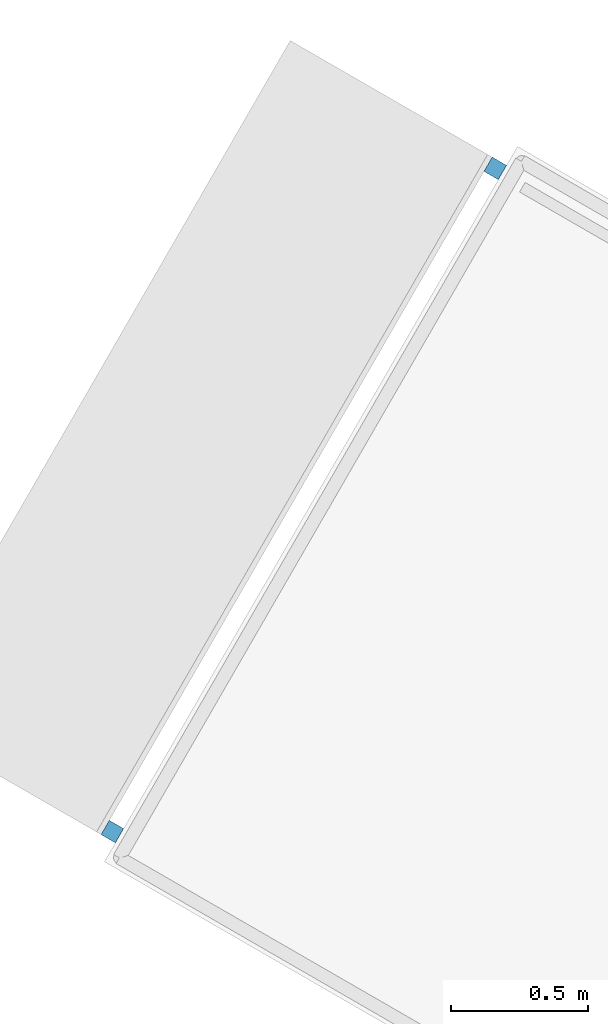
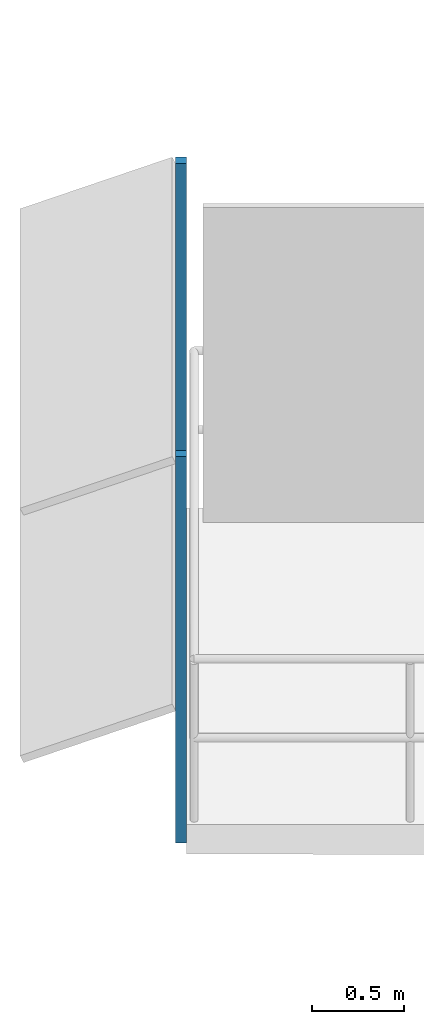
# One storey, part 10 of 13: 2 discrete accessories.
"""IFC4 building model written with IfcOpenShell, lengths in metres."""

from ifc_helpers import new_model, si_unit, direction, frame, origin, origin_2d, place, context, subcontext, project, spatial, rectangle, extrude, material, type_object, element, save


model = new_model("IFC4")

# Units and contexts
model_context = context("Model", 3, precision=1e-05, world=origin(), true_north=direction((0.0, 1.0)))
body_context = subcontext(model_context, "Body", "Model", "MODEL_VIEW")
ifc_project = project(units=[si_unit("LENGTHUNIT", "METRE"), si_unit("AREAUNIT", "SQUARE_METRE"), si_unit("VOLUMEUNIT", "CUBIC_METRE"), si_unit("PLANEANGLEUNIT", "RADIAN"), si_unit("MASSUNIT", "GRAM", prefix="KILO")], contexts=[model_context])

# Site, building, storey
site_placement = place(None, origin())
site = spatial("IfcSite", under=ifc_project, at=site_placement, CompositionType="ELEMENT")
building_placement = place(site_placement, origin())
building = spatial("IfcBuilding", under=site, at=building_placement, Name="Nakaniwa Court", CompositionType="ELEMENT")
storey_placement = place(building_placement, frame((0.0, 0.0, 246.0)))
storey = spatial("IfcBuildingStorey", under=building, at=storey_placement, Name="L64", CompositionType="ELEMENT", Elevation=246.0)

# Discrete accessories
ifc_material = material(Name="Black powder-coated steel bracket S275", Category="steel")
discrete_accessory_type = type_object("IfcDiscreteAccessoryType", Name="Black metal louvre bracket", PredefinedType="BRACKET", material=ifc_material)
for number, where, z_axis, x_axis, name in (
    (1, (57.783447265625, 91.6796875, -0.22998046875), (0.0, 0.0, 1.0), (-0.499986396443, -0.866033257659, 0.0), "L64 louvre bracket 01 1"),
    (2, (56.386962890625, 89.260986328125, -0.22998046875), (0.0, 0.0, 1.0), (-0.499986396443, -0.866033257659, 0.0), "L64 louvre bracket 01 2"),
):
    element("IfcDiscreteAccessory", number, at=place(storey_placement, frame(where, z_axis=z_axis, x_axis=x_axis)), inside=storey, type_object=discrete_accessory_type, Name=name, PredefinedType="BRACKET", context=body_context, shape_type="SweptSolid", body=[
        extrude(rectangle(XDim=0.06005859375, YDim=0.06005859375, at=origin_2d()), origin(), (0.0, 0.0, 1.0), 2.5751953125),
    ])

save(model, "model.ifc")
